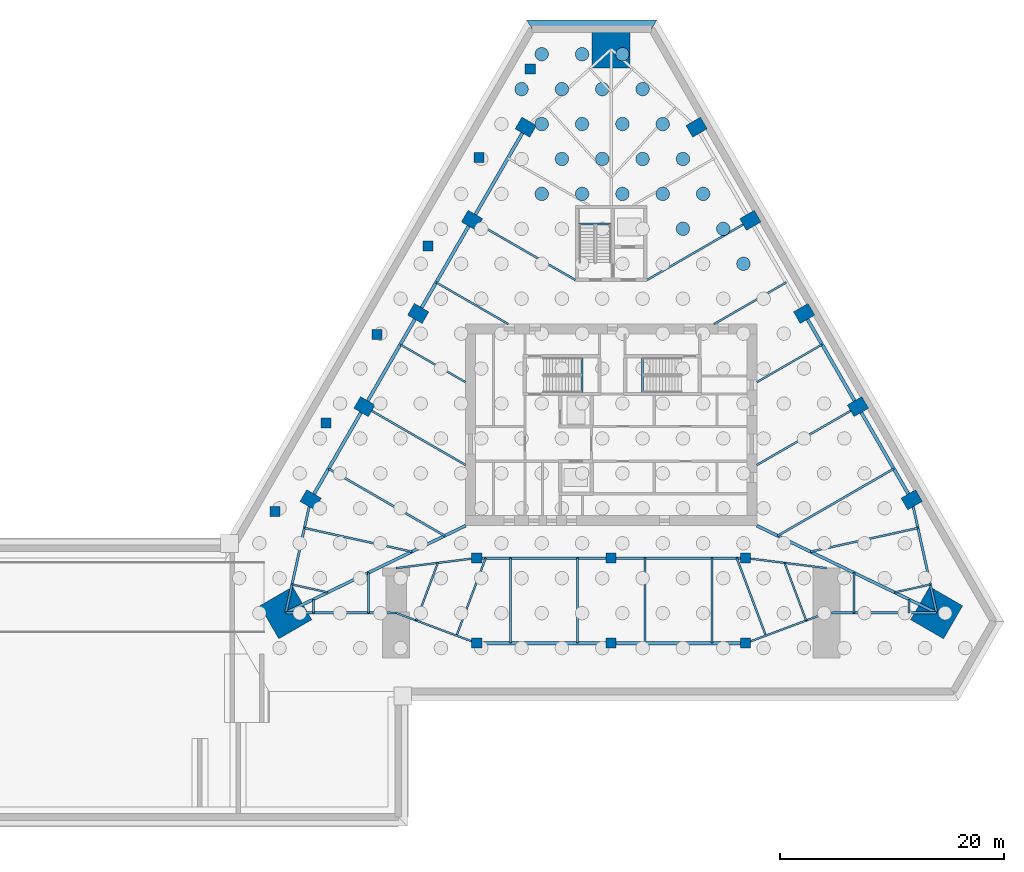
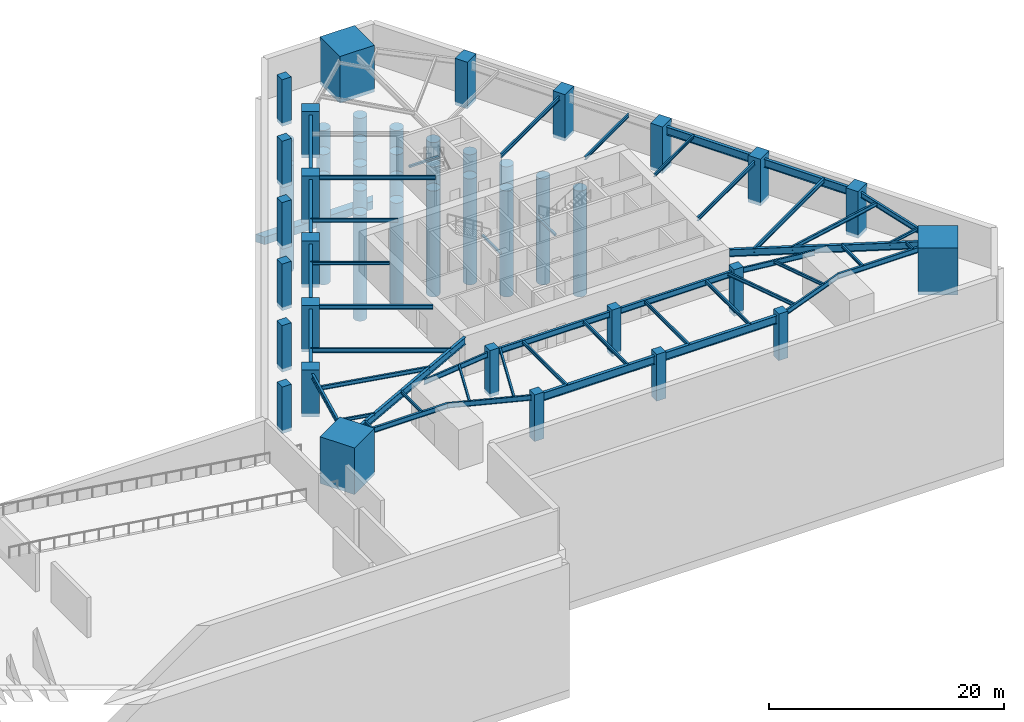
# One storey, part 2 of 8: 45 beams, 25 columns, 23 piles, 1 footing.
"""IFC4 building model written with IfcOpenShell, lengths in metres."""

from ifc_helpers import new_model, si_unit, direction, frame, origin, origin_2d, place, context, subcontext, project, spatial, polyline, rectangle, circle, i_section, outline, extrude, material, material_profile, profile_set, type_object, element, save


model = new_model("IFC4")

# Units and contexts
model_context = context("Model", 3, precision=1e-05, world=origin(), true_north=direction((0.0, 1.0)))
body_context = subcontext(model_context, "Body", "Model", "MODEL_VIEW")
ifc_project = project(units=[si_unit("LENGTHUNIT", "METRE"), si_unit("AREAUNIT", "SQUARE_METRE"), si_unit("VOLUMEUNIT", "CUBIC_METRE"), si_unit("PLANEANGLEUNIT", "RADIAN"), si_unit("MASSUNIT", "GRAM", prefix="KILO")], contexts=[model_context])

# Site, building, storey
site_placement = place(None, origin())
site = spatial("IfcSite", under=ifc_project, at=site_placement, CompositionType="ELEMENT")
building_placement = place(site_placement, origin())
building = spatial("IfcBuilding", under=site, at=building_placement, Name="Firuza Gate Tower and Library", CompositionType="ELEMENT")
storey_placement = place(building_placement, frame((0.0, 0.0, -14.0)))
storey = spatial("IfcBuildingStorey", under=building, at=storey_placement, Name="B3", CompositionType="ELEMENT", Elevation=-14.0)

# Piles
ifc_material_1 = material(Name="Concrete C40/50", Category="concrete")
ifc_material_profile_1 = material_profile(ifc_material_1, circle(Radius=0.60009765625, at=origin_2d()))
ifc_profile_set_1 = profile_set([ifc_material_profile_1], Name="Concrete C40/50")
pile_type = type_object("IfcPileType", Name="Bored pile D1200 rock-socketed C40/50", PredefinedType="BORED", material=ifc_profile_set_1)
for number, where, z_axis, x_axis, name in (
    (1, (86.802001953125, 89.3779296875, -3.199951171875), (0.0, 0.0, -1.0), (1.0, 0.0, 0.0), "Bored pile 171"),
    (2, (81.402099609375, 92.4951171875, -3.199951171875), (0.0, 0.0, -1.0), (1.0, 0.0, 0.0), "Bored pile 178"),
    (3, (85.001953125, 92.4951171875, -3.199951171875), (0.0, 0.0, -1.0), (1.0, 0.0, 0.0), "Bored pile 179"),
    (4, (68.802001953125, 95.613037109375, -3.199951171875), (0.0, 0.0, -1.0), (1.0, 0.0, 0.0), "Bored pile 182"),
    (5, (72.402099609375, 95.613037109375, -3.199951171875), (0.0, 0.0, -1.0), (1.0, 0.0, 0.0), "Bored pile 183"),
    (6, (76.001953125, 95.613037109375, -3.199951171875), (0.0, 0.0, -1.0), (1.0, 0.0, 0.0), "Bored pile 184"),
    (7, (79.60205078125, 95.613037109375, -3.199951171875), (0.0, 0.0, -1.0), (1.0, 0.0, 0.0), "Bored pile 185"),
    (8, (83.201904296875, 95.613037109375, -3.199951171875), (0.0, 0.0, -1.0), (1.0, 0.0, 0.0), "Bored pile 186"),
    (9, (70.60205078125, 98.73095703125, -3.199951171875), (0.0, 0.0, -1.0), (1.0, 0.0, 0.0), "Bored pile 189"),
    (10, (74.201904296875, 98.73095703125, -3.199951171875), (0.0, 0.0, -1.0), (1.0, 0.0, 0.0), "Bored pile 190"),
    (11, (77.802001953125, 98.73095703125, -3.199951171875), (0.0, 0.0, -1.0), (1.0, 0.0, 0.0), "Bored pile 191"),
    (12, (81.402099609375, 98.73095703125, -3.199951171875), (0.0, 0.0, -1.0), (1.0, 0.0, 0.0), "Bored pile 192"),
    (13, (68.802001953125, 101.847900390625, -3.199951171875), (0.0, 0.0, -1.0), (1.0, 0.0, 0.0), "Bored pile 194"),
    (14, (72.402099609375, 101.847900390625, -3.199951171875), (0.0, 0.0, -1.0), (1.0, 0.0, 0.0), "Bored pile 195"),
    (15, (76.001953125, 101.847900390625, -3.199951171875), (0.0, 0.0, -1.0), (1.0, 0.0, 0.0), "Bored pile 196"),
    (16, (79.60205078125, 101.847900390625, -3.199951171875), (0.0, 0.0, -1.0), (1.0, 0.0, 0.0), "Bored pile 197"),
    (17, (67.001953125, 104.966064453125, -3.199951171875), (0.0, 0.0, -1.0), (1.0, 0.0, 0.0), "Bored pile 198"),
    (18, (70.60205078125, 104.966064453125, -3.199951171875), (0.0, 0.0, -1.0), (1.0, 0.0, 0.0), "Bored pile 199"),
    (19, (74.201904296875, 104.966064453125, -3.199951171875), (0.0, 0.0, -1.0), (1.0, 0.0, 0.0), "Bored pile 200"),
    (20, (77.802001953125, 104.966064453125, -3.199951171875), (0.0, 0.0, -1.0), (1.0, 0.0, 0.0), "Bored pile 201"),
    (21, (68.802001953125, 108.083984375, -3.199951171875), (0.0, 0.0, -1.0), (1.0, 0.0, 0.0), "Bored pile 202"),
    (22, (72.402099609375, 108.083984375, -3.199951171875), (0.0, 0.0, -1.0), (1.0, 0.0, 0.0), "Bored pile 203"),
    (23, (76.001953125, 108.083984375, -3.199951171875), (0.0, 0.0, -1.0), (1.0, 0.0, 0.0), "Bored pile 204"),
):
    element("IfcPile", number, at=place(storey_placement, frame(where, z_axis=z_axis, x_axis=x_axis)), inside=storey, type_object=pile_type, Name=name, PredefinedType="BORED", context=body_context, shape_type="SweptSolid", body=[
        extrude(circle(Radius=0.60009765625, at=origin_2d()), origin(), (0.0, 0.0, 1.0), 11.0),
    ])

# Footing
ifc_material_2 = material(Name="Concrete C40/50", Category="concrete")
footing_type = type_object("IfcFootingType", Name="Diaphragm wall toe key 800 C40/50", PredefinedType="STRIP_FOOTING", material=ifc_material_2)
footing_placement = place(storey_placement, frame((0.0, 0.0, -15.300048828125)))
element("IfcFooting", 24, at=footing_placement, inside=storey, type_object=footing_type, Name="Diaphragm wall toe key 4 TK1", PredefinedType="STRIP_FOOTING", context=body_context, shape_type="SweptSolid", body=[
    extrude(outline(polyline([(78.60009765625, 110.333740234375), (67.935791015625, 110.333740234375), (67.47412109375, 111.1337890625), (79.061767578125, 111.1337890625), (78.60009765625, 110.333740234375)])), origin(), (0.0, 0.0, 1.0), 0.800048828125),
])

# Columns
ifc_material_3 = material(Name="Concrete C60/75", Category="concrete")
ifc_material_profile_2 = material_profile(ifc_material_3, rectangle(XDim=0.89990234375, YDim=0.89990234375, at=origin_2d()))
ifc_profile_set_2 = profile_set([ifc_material_profile_2], Name="Concrete C60/75")
column_type_1 = type_object("IfcColumnType", Name="Basement column 900x900 C60/75", PredefinedType="COLUMN", material=ifc_profile_set_2)
for number, where, z_axis, x_axis, name in (
    (25, (63.0, 63.115478515625, -0.35009765625), (0.0, 0.0, 1.0), (1.0, 0.0, 0.0), "Column B3 bc1"),
    (26, (75.0, 63.115478515625, -0.35009765625), (0.0, 0.0, 1.0), (1.0, 0.0, 0.0), "Column B3 bc2"),
    (27, (87.0, 63.115478515625, -0.35009765625), (0.0, 0.0, 1.0), (1.0, 0.0, 0.0), "Column B3 bc3"),
    (28, (63.0, 55.515380859375, -0.35009765625), (0.0, 0.0, 1.0), (1.0, 0.0, 0.0), "Column B3 fc1"),
    (29, (75.0, 55.515380859375, -0.35009765625), (0.0, 0.0, 1.0), (1.0, 0.0, 0.0), "Column B3 fc2"),
    (30, (87.0, 55.515380859375, -0.35009765625), (0.0, 0.0, 1.0), (1.0, 0.0, 0.0), "Column B3 fc3"),
    (31, (44.980224609375, 67.273681640625, -0.35009765625), (0.0, 0.0, 1.0), (1.0, 0.0, 0.0), "Column B3 AP10"),
    (32, (49.539794921875, 75.1708984375, -0.35009765625), (0.0, 0.0, 1.0), (1.0, 0.0, 0.0), "Column B3 AP11"),
    (33, (54.099365234375, 83.068359375, -0.35009765625), (0.0, 0.0, 1.0), (1.0, 0.0, 0.0), "Column B3 AP12"),
    (34, (58.658935546875, 90.965576171875, -0.35009765625), (0.0, 0.0, 1.0), (1.0, 0.0, 0.0), "Column B3 AP13"),
    (35, (63.218505859375, 98.86279296875, -0.35009765625), (0.0, 0.0, 1.0), (1.0, 0.0, 0.0), "Column B3 AP14"),
    (36, (67.77783203125, 106.76025390625, -0.35009765625), (0.0, 0.0, 1.0), (1.0, 0.0, 0.0), "Column B3 AP15"),
):
    element("IfcColumn", number, at=place(storey_placement, frame(where, z_axis=z_axis, x_axis=x_axis)), inside=storey, type_object=column_type_1, Name=name, PredefinedType="COLUMN", context=body_context, shape_type="SweptSolid", body=[
        extrude(rectangle(XDim=0.89990234375, YDim=0.89990234375, at=origin_2d()), origin(), (0.0, 0.0, 1.0), 4.85009765625),
    ])
ifc_material_4 = material(Name="Concrete C80/95", Category="concrete")
ifc_material_profile_3 = material_profile(ifc_material_4, rectangle(XDim=3.39990234375, YDim=3.39990234375, at=origin_2d()))
ifc_profile_set_3 = profile_set([ifc_material_profile_3], Name="Concrete C80/95")
column_type_2 = type_object("IfcColumnType", Name="Mega column 3400x3400 C80/95", PredefinedType="COLUMN", material=ifc_profile_set_3)
for number, where, z_axis, x_axis, name in (
    (37, (104.041259765625, 58.233154296875, -0.35009765625), (0.0, 0.0, 1.0), (0.5, 0.866025403784, 0.0), "Mega column SE B3"),
    (38, (75.0, 108.533935546875, -0.35009765625), (0.0, 0.0, 1.0), (-1.0, 0.0, 0.0), "Mega column N B3"),
    (39, (45.958740234375, 58.233154296875, -0.35009765625), (0.0, 0.0, 1.0), (0.5, -0.866025403784, 0.0), "Mega column SW B3"),
):
    element("IfcColumn", number, at=place(storey_placement, frame(where, z_axis=z_axis, x_axis=x_axis)), inside=storey, type_object=column_type_2, Name=name, PredefinedType="COLUMN", context=body_context, shape_type="SweptSolid", body=[
        extrude(rectangle(XDim=3.39990234375, YDim=3.39990234375, at=origin_2d()), origin(), (0.0, 0.0, 1.0), 4.85009765625),
    ])
ifc_material_5 = material(Name="Concrete C60/75", Category="concrete")
ifc_material_profile_4 = material_profile(ifc_material_5, rectangle(XDim=1.199951171875, YDim=1.5, at=origin_2d()))
ifc_profile_set_4 = profile_set([ifc_material_profile_4], Name="Concrete C60/75")
column_type_3 = type_object("IfcColumnType", Name="Perimeter column 1200x1500 C60/75", PredefinedType="COLUMN", material=ifc_profile_set_4)
for number, where, z_axis, x_axis, name in (
    (40, (101.820556640625, 68.314697265625, -0.35009765625), (0.0, 0.0, 1.0), (-0.5, 0.866025403784, 0.0), "Column B3 E1"),
    (41, (97.0205078125, 76.62841796875, -0.35009765625), (0.0, 0.0, 1.0), (-0.5, 0.866025403784, 0.0), "Column B3 E2"),
    (42, (92.220458984375, 84.9423828125, -0.35009765625), (0.0, 0.0, 1.0), (-0.5, 0.866025403784, 0.0), "Column B3 E3"),
    (43, (87.420654296875, 93.256103515625, -0.35009765625), (0.0, 0.0, 1.0), (-0.5, 0.866025403784, 0.0), "Column B3 E4"),
    (44, (82.62060546875, 101.570068359375, -0.35009765625), (0.0, 0.0, 1.0), (-0.5, 0.866025403784, 0.0), "Column B3 E5"),
    (45, (67.37939453125, 101.570068359375, -0.35009765625), (0.0, 0.0, 1.0), (-0.5, -0.866025403784, 0.0), "Column B3 W1"),
    (46, (62.579345703125, 93.256103515625, -0.35009765625), (0.0, 0.0, 1.0), (-0.5, -0.866025403784, 0.0), "Column B3 W2"),
    (47, (57.779541015625, 84.9423828125, -0.35009765625), (0.0, 0.0, 1.0), (-0.5, -0.866025403784, 0.0), "Column B3 W3"),
    (48, (52.9794921875, 76.62841796875, -0.35009765625), (0.0, 0.0, 1.0), (-0.5, -0.866025403784, 0.0), "Column B3 W4"),
    (49, (48.179443359375, 68.314697265625, -0.35009765625), (0.0, 0.0, 1.0), (-0.5, -0.866025403784, 0.0), "Column B3 W5"),
):
    element("IfcColumn", number, at=place(storey_placement, frame(where, z_axis=z_axis, x_axis=x_axis)), inside=storey, type_object=column_type_3, Name=name, PredefinedType="COLUMN", context=body_context, shape_type="SweptSolid", body=[
        extrude(rectangle(XDim=1.199951171875, YDim=1.5, at=origin_2d()), origin(), (0.0, 0.0, 1.0), 4.85009765625),
    ])

# Beams
ifc_material_6 = material(Name="Concrete C35/45", Category="concrete")
ifc_material_profile_5 = material_profile(ifc_material_6, rectangle(XDim=0.199951171875, YDim=0.199951171875, at=origin_2d()))
ifc_profile_set_5 = profile_set([ifc_material_profile_5], Name="Concrete C35/45")
beam_type_1 = type_object("IfcBeamType", Name="Stair landing bearer 200x200", PredefinedType="BEAM", material=ifc_profile_set_5)
for number, where, z_axis, x_axis, name in (
    (50, (72.39990234375, 77.89990234375, 1.949951171875), (0.0, 1.0, 0.0), (-1.0, 0.0, 0.0), "Landing bearer B3 stair 1"),
    (51, (77.800048828125, 80.97998046875, 1.949951171875), (0.0, -1.0, 0.0), (1.0, 0.0, 0.0), "Landing bearer B3 stair 2"),
):
    element("IfcBeam", number, at=place(storey_placement, frame(where, z_axis=z_axis, x_axis=x_axis)), inside=storey, type_object=beam_type_1, Name=name, PredefinedType="BEAM", context=body_context, shape_type="SweptSolid", body=[
        extrude(rectangle(XDim=0.199951171875, YDim=0.199951171875, at=origin_2d()), origin(), (0.0, 0.0, 1.0), 3.080078125),
    ])
beam_1_placement = place(storey_placement, frame((75.0, 92.929931640625, 1.949951171875), z_axis=(-1.0, 0.0, 0.0), x_axis=(0.0, -1.0, 0.0)))
element("IfcBeam", 52, at=beam_1_placement, inside=storey, type_object=beam_type_1, Name="Landing bearer B3 stair 3", PredefinedType="BEAM", context=body_context, shape_type="SweptSolid", body=[
    extrude(rectangle(XDim=0.199951171875, YDim=0.199951171875, at=origin_2d()), origin(), (0.0, 0.0, 1.0), 2.89990234375),
])
ifc_material_7 = material(Name="Steel S355", Category="steel")
ifc_material_profile_6 = material_profile(ifc_material_7, i_section(OverallWidth=0.1650390625, OverallDepth=0.31005859375, WebThickness=0.005859375, FlangeThickness=0.009765625, at=origin_2d()))
ifc_profile_set_6 = profile_set([ifc_material_profile_6], Name="Steel S355")
beam_type_2 = type_object("IfcBeamType", Name="W310x39 Floor beam", PredefinedType="JOIST", material=ifc_profile_set_6)
beam_2_placement = place(storey_placement, frame((46.513916015625, 60.75341796875, 3.9951171875), z_axis=(0.976601243751, -0.215058156564, 0.0), x_axis=(0.215058156564, 0.976601243751, 0.0)))
element("IfcBeam", 53, at=beam_2_placement, inside=storey, type_object=beam_type_2, Name="Floor beam B3 s01", PredefinedType="JOIST", context=body_context, shape_type="SweptSolid", body=[
    extrude(i_section(OverallWidth=0.1650390625, OverallDepth=0.31005859375, WebThickness=0.005859375, FlangeThickness=0.009765625, at=origin_2d()), origin(), (0.0, 0.0, 1.0), 3.27294921875),
])
beam_3_placement = place(storey_placement, frame((48.419189453125, 58.228759765625, 3.9951171875), z_axis=(0.00183635683, 0.999998313895, 0.0), x_axis=(-0.999998313895, 0.00183635683, 0.0)))
element("IfcBeam", 54, at=beam_3_placement, inside=storey, type_object=beam_type_2, Name="Floor beam B3 s10", PredefinedType="JOIST", context=body_context, shape_type="SweptSolid", body=[
    extrude(i_section(OverallWidth=0.1650390625, OverallDepth=0.31005859375, WebThickness=0.005859375, FlangeThickness=0.009765625, at=origin_2d()), origin(), (0.0, 0.0, 1.0), 1.196533203125),
])
beam_4_placement = place(storey_placement, frame((53.339599609375, 58.2197265625, 3.9951171875), z_axis=(0.001836107072, 0.999998314354, 0.0), x_axis=(-0.999998314354, 0.001836107072, 0.0)))
element("IfcBeam", 55, at=beam_4_placement, inside=storey, type_object=beam_type_2, Name="Floor beam B3 s11", PredefinedType="JOIST", context=body_context, shape_type="SweptSolid", body=[
    extrude(i_section(OverallWidth=0.1650390625, OverallDepth=0.31005859375, WebThickness=0.005859375, FlangeThickness=0.009765625, at=origin_2d()), origin(), (0.0, 0.0, 1.0), 3.590087890625),
])
for number, where, z_axis, x_axis, name in (
    (56, (57.60009765625, 57.540283203125, 3.9951171875), (0.351094204277, 0.93634014104, 0.0), (-0.93634014104, 0.351094204277, 0.0), "Floor beam B3 s20"),
    (57, (92.39990234375, 57.540283203125, 3.9951171875), (-0.351094204277, 0.93634014104, 0.0), (-0.93634014104, -0.351094204277, 0.0), "Floor beam B3 s41"),
):
    element("IfcBeam", number, at=place(storey_placement, frame(where, z_axis=z_axis, x_axis=x_axis)), inside=storey, type_object=beam_type_2, Name=name, PredefinedType="JOIST", context=body_context, shape_type="SweptSolid", body=[
        extrude(i_section(OverallWidth=0.1650390625, OverallDepth=0.31005859375, WebThickness=0.005859375, FlangeThickness=0.009765625, at=origin_2d()), origin(), (0.0, 0.0, 1.0), 5.49072265625),
    ])
beam_5_placement = place(storey_placement, frame((96.660400390625, 58.2197265625, 3.9951171875), z_axis=(-0.001836107072, 0.999998314354, 0.0), x_axis=(-0.999998314354, -0.001836107072, 0.0)))
element("IfcBeam", 58, at=beam_5_placement, inside=storey, type_object=beam_type_2, Name="Floor beam B3 s50", PredefinedType="JOIST", context=body_context, shape_type="SweptSolid", body=[
    extrude(i_section(OverallWidth=0.1650390625, OverallDepth=0.31005859375, WebThickness=0.005859375, FlangeThickness=0.009765625, at=origin_2d()), origin(), (0.0, 0.0, 1.0), 3.590087890625),
])
beam_6_placement = place(storey_placement, frame((101.580810546875, 58.228759765625, 3.9951171875), z_axis=(-0.00183635683, 0.999998313895, 0.0), x_axis=(-0.999998313895, -0.00183635683, 0.0)))
element("IfcBeam", 59, at=beam_6_placement, inside=storey, type_object=beam_type_2, Name="Floor beam B3 s51", PredefinedType="JOIST", context=body_context, shape_type="SweptSolid", body=[
    extrude(i_section(OverallWidth=0.1650390625, OverallDepth=0.31005859375, WebThickness=0.005859375, FlangeThickness=0.009765625, at=origin_2d()), origin(), (0.0, 0.0, 1.0), 1.196533203125),
])
beam_7_placement = place(storey_placement, frame((103.486083984375, 60.75341796875, 3.9951171875), z_axis=(-0.976601243751, -0.215058156564, 0.0), x_axis=(0.215058156564, -0.976601243751, 0.0)))
element("IfcBeam", 60, at=beam_7_placement, inside=storey, type_object=beam_type_2, Name="Floor beam B3 s60", PredefinedType="JOIST", context=body_context, shape_type="SweptSolid", body=[
    extrude(i_section(OverallWidth=0.1650390625, OverallDepth=0.31005859375, WebThickness=0.005859375, FlangeThickness=0.009765625, at=origin_2d()), origin(), (0.0, 0.0, 1.0), 3.27294921875),
])
for number, where, z_axis, x_axis, name in (
    (61, (93.820556640625, 82.171142578125, 3.9951171875), (-0.866019234261, -0.500010685776, 0.0), (0.500010685776, -0.866019234261, 0.0), "Floor beam B3 s72"),
    (62, (56.179443359375, 82.171142578125, 3.9951171875), (0.866019234261, -0.500010685776, 0.0), (0.500010685776, 0.866019234261, 0.0), "Floor beam B3 s103"),
):
    element("IfcBeam", number, at=place(storey_placement, frame(where, z_axis=z_axis, x_axis=x_axis)), inside=storey, type_object=beam_type_2, Name=name, PredefinedType="JOIST", context=body_context, shape_type="SweptSolid", body=[
        extrude(i_section(OverallWidth=0.1650390625, OverallDepth=0.31005859375, WebThickness=0.005859375, FlangeThickness=0.009765625, at=origin_2d()), origin(), (0.0, 0.0, 1.0), 6.720947265625),
    ])
ifc_material_8 = material(Name="Steel S355", Category="steel")
ifc_material_profile_7 = material_profile(ifc_material_8, i_section(OverallWidth=0.1708984375, OverallDepth=0.35498046875, WebThickness=0.007080078125, FlangeThickness=0.01171875, at=origin_2d()))
ifc_profile_set_7 = profile_set([ifc_material_profile_7], Name="Steel S355")
beam_type_3 = type_object("IfcBeamType", Name="W360x51 Floor beam", PredefinedType="JOIST", material=ifc_profile_set_7)
beam_8_placement = place(storey_placement, frame((61.199951171875, 56.1904296875, 3.972412109375), z_axis=(0.351127059117, 0.936327820988, 0.0), x_axis=(-0.936327820988, 0.351127059117, 0.0)))
element("IfcBeam", 63, at=beam_8_placement, inside=storey, type_object=beam_type_3, Name="Floor beam B3 s21", PredefinedType="JOIST", context=body_context, shape_type="SweptSolid", body=[
    extrude(i_section(OverallWidth=0.1708984375, OverallDepth=0.35498046875, WebThickness=0.007080078125, FlangeThickness=0.01171875, at=origin_2d()), origin(), (0.0, 0.0, 1.0), 7.39599609375),
])
for number, where, z_axis, x_axis, name in (
    (64, (66.0, 55.515380859375, 3.972412109375), (0.0, 1.0, 0.0), (-1.0, 0.0, 0.0), "Floor beam B3 s30"),
    (65, (72.0, 55.515380859375, 3.972412109375), (0.0, 1.0, 0.0), (-1.0, 0.0, 0.0), "Floor beam B3 s31"),
    (66, (78.0, 55.515380859375, 3.972412109375), (0.0, 1.0, 0.0), (-1.0, 0.0, 0.0), "Floor beam B3 s32"),
    (67, (84.0, 55.515380859375, 3.972412109375), (0.0, 1.0, 0.0), (-1.0, 0.0, 0.0), "Floor beam B3 s33"),
):
    element("IfcBeam", number, at=place(storey_placement, frame(where, z_axis=z_axis, x_axis=x_axis)), inside=storey, type_object=beam_type_3, Name=name, PredefinedType="JOIST", context=body_context, shape_type="SweptSolid", body=[
        extrude(i_section(OverallWidth=0.1708984375, OverallDepth=0.35498046875, WebThickness=0.007080078125, FlangeThickness=0.01171875, at=origin_2d()), origin(), (0.0, 0.0, 1.0), 7.60009765625),
    ])
beam_9_placement = place(storey_placement, frame((88.800048828125, 56.1904296875, 3.972412109375), z_axis=(-0.351127059117, 0.936327820988, 0.0), x_axis=(-0.936327820988, -0.351127059117, 0.0)))
element("IfcBeam", 68, at=beam_9_placement, inside=storey, type_object=beam_type_3, Name="Floor beam B3 s40", PredefinedType="JOIST", context=body_context, shape_type="SweptSolid", body=[
    extrude(i_section(OverallWidth=0.1708984375, OverallDepth=0.35498046875, WebThickness=0.007080078125, FlangeThickness=0.01171875, at=origin_2d()), origin(), (0.0, 0.0, 1.0), 7.39599609375),
])
for number, where, z_axis, x_axis, name in (
    (69, (90.62060546875, 87.713623046875, 3.972412109375), (-0.866023556141, -0.500003200199, 0.0), (0.500003200199, -0.866023556141, 0.0), "Floor beam B3 s73"),
    (70, (59.37939453125, 87.713623046875, 3.972412109375), (0.866023556141, -0.500003200199, 0.0), (0.500003200199, 0.866023556141, 0.0), "Floor beam B3 s102"),
):
    element("IfcBeam", number, at=place(storey_placement, frame(where, z_axis=z_axis, x_axis=x_axis)), inside=storey, type_object=beam_type_3, Name=name, PredefinedType="JOIST", context=body_context, shape_type="SweptSolid", body=[
        extrude(i_section(OverallWidth=0.1708984375, OverallDepth=0.35498046875, WebThickness=0.007080078125, FlangeThickness=0.01171875, at=origin_2d()), origin(), (0.0, 0.0, 1.0), 7.42724609375),
    ])
ifc_material_9 = material(Name="Steel S355", Category="steel")
ifc_material_profile_8 = material_profile(ifc_material_9, i_section(OverallWidth=0.177978515625, OverallDepth=0.406982421875, WebThickness=0.0078125, FlangeThickness=0.0126953125, at=origin_2d()))
ifc_profile_set_8 = profile_set([ifc_material_profile_8], Name="Steel S355")
beam_type_4 = type_object("IfcBeamType", Name="W410x60 Floor beam", PredefinedType="JOIST", material=ifc_profile_set_8)
for number, where, z_axis, x_axis, name in (
    (71, (47.624267578125, 65.794189453125, 3.946533203125), (0.97658964753, -0.215110809441, 0.0), (0.215110809441, 0.97658964753, 0.0), "Floor beam B3 s00"),
    (72, (102.375732421875, 65.794189453125, 3.946533203125), (-0.97658964753, -0.215110809441, 0.0), (0.215110809441, -0.97658964753, 0.0), "Floor beam B3 s61"),
):
    element("IfcBeam", number, at=place(storey_placement, frame(where, z_axis=z_axis, x_axis=x_axis)), inside=storey, type_object=beam_type_4, Name=name, PredefinedType="JOIST", context=body_context, shape_type="SweptSolid", body=[
        extrude(i_section(OverallWidth=0.177978515625, OverallDepth=0.406982421875, WebThickness=0.0078125, FlangeThickness=0.0126953125, at=origin_2d()), origin(), (0.0, 0.0, 1.0), 9.818359375),
    ])
beam_10_placement = place(storey_placement, frame((97.0205078125, 76.62841796875, 3.946533203125), z_axis=(-0.866024771944, -0.500001094379, 0.0), x_axis=(0.500001094379, -0.866024771944, 0.0)))
element("IfcBeam", 73, at=beam_10_placement, inside=storey, type_object=beam_type_4, Name="Floor beam B3 s71", PredefinedType="JOIST", context=body_context, shape_type="SweptSolid", body=[
    extrude(i_section(OverallWidth=0.177978515625, OverallDepth=0.406982421875, WebThickness=0.0078125, FlangeThickness=0.0126953125, at=origin_2d()), origin(), (0.0, 0.0, 1.0), 10.416015625),
])
for number, where, z_axis, x_axis, name in (
    (74, (87.420654296875, 93.256103515625, 3.946533203125), (-0.866029027547, -0.499993723407, 0.0), (0.499993723407, -0.866029027547, 0.0), "Floor beam B3 s74"),
    (75, (62.579345703125, 93.256103515625, 3.946533203125), (0.866029027547, -0.499993723407, 0.0), (0.499993723407, 0.866029027547, 0.0), "Floor beam B3 s101"),
):
    element("IfcBeam", number, at=place(storey_placement, frame(where, z_axis=z_axis, x_axis=x_axis)), inside=storey, type_object=beam_type_4, Name=name, PredefinedType="JOIST", context=body_context, shape_type="SweptSolid", body=[
        extrude(i_section(OverallWidth=0.177978515625, OverallDepth=0.406982421875, WebThickness=0.0078125, FlangeThickness=0.0126953125, at=origin_2d()), origin(), (0.0, 0.0, 1.0), 10.647216796875),
    ])
beam_11_placement = place(storey_placement, frame((52.9794921875, 76.62841796875, 3.946533203125), z_axis=(0.866024771944, -0.500001094379, 0.0), x_axis=(0.500001094379, 0.866024771944, 0.0)))
element("IfcBeam", 76, at=beam_11_placement, inside=storey, type_object=beam_type_4, Name="Floor beam B3 s104", PredefinedType="JOIST", context=body_context, shape_type="SweptSolid", body=[
    extrude(i_section(OverallWidth=0.177978515625, OverallDepth=0.406982421875, WebThickness=0.0078125, FlangeThickness=0.0126953125, at=origin_2d()), origin(), (0.0, 0.0, 1.0), 10.416015625),
])
ifc_material_10 = material(Name="Steel S355", Category="steel")
ifc_material_profile_9 = material_profile(ifc_material_10, i_section(OverallWidth=0.18994140625, OverallDepth=0.45703125, WebThickness=0.009033203125, FlangeThickness=0.014404296875, at=origin_2d()))
ifc_profile_set_9 = profile_set([ifc_material_profile_9], Name="Steel S355")
beam_type_5 = type_object("IfcBeamType", Name="W460x74 Floor beam", PredefinedType="JOIST", material=ifc_profile_set_9)
for number, where, z_axis, x_axis, name in (
    (77, (100.220458984375, 71.0859375, 3.92138671875), (-0.866020154196, -0.500009092443, 0.0), (0.500009092443, -0.866020154196, 0.0), "Floor beam B3 s70"),
    (78, (49.779541015625, 71.0859375, 3.92138671875), (0.866020154196, -0.500009092443, 0.0), (0.500009092443, 0.866020154196, 0.0), "Floor beam B3 s105"),
):
    element("IfcBeam", number, at=place(storey_placement, frame(where, z_axis=z_axis, x_axis=x_axis)), inside=storey, type_object=beam_type_5, Name=name, PredefinedType="JOIST", context=body_context, shape_type="SweptSolid", body=[
        extrude(i_section(OverallWidth=0.18994140625, OverallDepth=0.45703125, WebThickness=0.009033203125, FlangeThickness=0.014404296875, at=origin_2d()), origin(), (0.0, 0.0, 1.0), 11.968505859375),
    ])
ifc_material_11 = material(Name="Steel S355", Category="steel")
ifc_material_profile_10 = material_profile(ifc_material_11, i_section(OverallWidth=0.212890625, OverallDepth=0.5390625, WebThickness=0.01171875, FlangeThickness=0.018798828125, at=origin_2d()))
ifc_profile_set_10 = profile_set([ifc_material_profile_10], Name="Steel S355")
beam_type_6 = type_object("IfcBeamType", Name="W530x109 Edge beam", PredefinedType="SPANDREL", material=ifc_profile_set_10)
beam_12_placement = place(storey_placement, frame((48.179443359375, 68.314697265625, 3.880615234375), z_axis=(-0.215117130091, -0.976588255275, 0.0), x_axis=(0.976588255275, -0.215117130091, 0.0)))
element("IfcBeam", 79, at=beam_12_placement, inside=storey, type_object=beam_type_6, Name="Edge beam B3 e00", PredefinedType="SPANDREL", context=body_context, shape_type="SweptSolid", body=[
    extrude(i_section(OverallWidth=0.212890625, OverallDepth=0.5390625, WebThickness=0.01171875, FlangeThickness=0.018798828125, at=origin_2d()), origin(), (0.0, 0.0, 1.0), 10.3232421875),
])
for number, where, z_axis, x_axis, name in (
    (80, (45.958740234375, 58.233154296875, 3.880615234375), (0.999998360207, -0.001810962051, 0.0), (0.001810962051, 0.999998360207, 0.0), "Edge beam B3 e10"),
    (81, (94.199951171875, 58.21533203125, 3.880615234375), (0.999998360207, 0.001810962051, 0.0), (-0.001810962051, 0.999998360207, 0.0), "Edge beam B3 e50"),
):
    element("IfcBeam", number, at=place(storey_placement, frame(where, z_axis=z_axis, x_axis=x_axis)), inside=storey, type_object=beam_type_6, Name=name, PredefinedType="SPANDREL", context=body_context, shape_type="SweptSolid", body=[
        extrude(i_section(OverallWidth=0.212890625, OverallDepth=0.5390625, WebThickness=0.01171875, FlangeThickness=0.018798828125, at=origin_2d()), origin(), (0.0, 0.0, 1.0), 9.84130859375),
    ])
beam_13_placement = place(storey_placement, frame((104.041259765625, 58.233154296875, 3.880615234375), z_axis=(-0.215117130091, 0.976588255275, 0.0), x_axis=(-0.976588255275, -0.215117130091, 0.0)))
element("IfcBeam", 82, at=beam_13_placement, inside=storey, type_object=beam_type_6, Name="Edge beam B3 e60", PredefinedType="SPANDREL", context=body_context, shape_type="SweptSolid", body=[
    extrude(i_section(OverallWidth=0.212890625, OverallDepth=0.5390625, WebThickness=0.01171875, FlangeThickness=0.018798828125, at=origin_2d()), origin(), (0.0, 0.0, 1.0), 10.3232421875),
])
ifc_material_12 = material(Name="Steel S355", Category="steel")
ifc_material_profile_11 = material_profile(ifc_material_12, i_section(OverallWidth=0.166015625, OverallDepth=0.534912109375, WebThickness=0.01025390625, FlangeThickness=0.0166015625, at=origin_2d()))
ifc_profile_set_11 = profile_set([ifc_material_profile_11], Name="Steel S355")
beam_type_7 = type_object("IfcBeamType", Name="W530x85 Edge beam", PredefinedType="SPANDREL", material=ifc_profile_set_11)
for number, where, z_axis, x_axis, name in (
    (83, (55.800048828125, 58.21533203125, 3.882568359375), (0.936330482345, -0.351119962166, 0.0), (0.351119962166, 0.936330482345, 0.0), "Edge beam B3 e20"),
    (84, (87.0, 55.515380859375, 3.882568359375), (0.936330482345, 0.351119962166, 0.0), (-0.351119962166, 0.936330482345, 0.0), "Edge beam B3 e40"),
):
    element("IfcBeam", number, at=place(storey_placement, frame(where, z_axis=z_axis, x_axis=x_axis)), inside=storey, type_object=beam_type_7, Name=name, PredefinedType="SPANDREL", context=body_context, shape_type="SweptSolid", body=[
        extrude(i_section(OverallWidth=0.166015625, OverallDepth=0.534912109375, WebThickness=0.01025390625, FlangeThickness=0.0166015625, at=origin_2d()), origin(), (0.0, 0.0, 1.0), 7.689453125),
    ])
for number, where, z_axis, x_axis, name in (
    (85, (55.800048828125, 62.21533203125, 3.882568359375), (0.992275288289, 0.124055440233, 0.0), (-0.124055440233, 0.992275288289, 0.0), "Edge beam B3 x00"),
    (86, (87.0, 63.115478515625, 3.882568359375), (0.992275288289, -0.124055440233, 0.0), (0.124055440233, 0.992275288289, 0.0), "Edge beam B3 x03"),
):
    element("IfcBeam", number, at=place(storey_placement, frame(where, z_axis=z_axis, x_axis=x_axis)), inside=storey, type_object=beam_type_7, Name=name, PredefinedType="SPANDREL", context=body_context, shape_type="SweptSolid", body=[
        extrude(i_section(OverallWidth=0.166015625, OverallDepth=0.534912109375, WebThickness=0.01025390625, FlangeThickness=0.0166015625, at=origin_2d()), origin(), (0.0, 0.0, 1.0), 7.256103515625),
    ])
ifc_material_13 = material(Name="Steel S355", Category="steel")
ifc_material_profile_12 = material_profile(ifc_material_13, i_section(OverallWidth=0.22900390625, OverallDepth=0.612060546875, WebThickness=0.011962890625, FlangeThickness=0.01953125, at=origin_2d()))
ifc_profile_set_12 = profile_set([ifc_material_profile_12], Name="Steel S355")
beam_type_8 = type_object("IfcBeamType", Name="W610x125 Edge beam", PredefinedType="SPANDREL", material=ifc_profile_set_12)
for number, where, z_axis, x_axis, name in (
    (87, (63.0, 63.115478515625, 3.843994140625), (1.0, 0.0, 0.0), (0.0, 1.0, 0.0), "Edge beam B3 x01"),
    (88, (75.0, 63.115478515625, 3.843994140625), (1.0, 0.0, 0.0), (0.0, 1.0, 0.0), "Edge beam B3 x02"),
):
    element("IfcBeam", number, at=place(storey_placement, frame(where, z_axis=z_axis, x_axis=x_axis)), inside=storey, type_object=beam_type_8, Name=name, PredefinedType="SPANDREL", context=body_context, shape_type="SweptSolid", body=[
        extrude(i_section(OverallWidth=0.22900390625, OverallDepth=0.612060546875, WebThickness=0.011962890625, FlangeThickness=0.01953125, at=origin_2d()), origin(), (0.0, 0.0, 1.0), 12.0),
    ])
ifc_material_14 = material(Name="Steel S355", Category="steel")
ifc_material_profile_13 = material_profile(ifc_material_14, i_section(OverallWidth=0.264892578125, OverallDepth=0.7529296875, WebThickness=0.01318359375, FlangeThickness=0.01708984375, at=origin_2d()))
ifc_profile_set_13 = profile_set([ifc_material_profile_13], Name="Steel S355")
beam_type_9 = type_object("IfcBeamType", Name="W760x147 Girder", PredefinedType="BEAM", material=ifc_profile_set_13)
for number, where, z_axis, x_axis, name in (
    (89, (45.958740234375, 58.233154296875, 3.7734375), (0.900050421894, 0.43578577082, 0.0), (-0.43578577082, 0.900050421894, 0.0), "Girder B3 gSW"),
    (90, (104.041259765625, 58.233154296875, 3.7734375), (-0.900050421894, 0.43578577082, 0.0), (-0.43578577082, -0.900050421894, 0.0), "Girder B3 gSE"),
):
    element("IfcBeam", number, at=place(storey_placement, frame(where, z_axis=z_axis, x_axis=x_axis)), inside=storey, type_object=beam_type_9, Name=name, PredefinedType="BEAM", context=body_context, shape_type="SweptSolid", body=[
        extrude(i_section(OverallWidth=0.264892578125, OverallDepth=0.7529296875, WebThickness=0.01318359375, FlangeThickness=0.01708984375, at=origin_2d()), origin(), (0.0, 0.0, 1.0), 17.822509765625),
    ])
ifc_material_15 = material(Name="Steel S355", Category="steel")
ifc_material_profile_14 = material_profile(ifc_material_15, i_section(OverallWidth=0.2919921875, OverallDepth=0.8349609375, WebThickness=0.013916015625, FlangeThickness=0.018798828125, at=origin_2d()))
ifc_profile_set_14 = profile_set([ifc_material_profile_14], Name="Steel S355")
beam_type_10 = type_object("IfcBeamType", Name="W840x176 Edge beam", PredefinedType="SPANDREL", material=ifc_profile_set_14)
beam_14_placement = place(storey_placement, frame((63.0, 55.515380859375, 3.732421875), z_axis=(1.0, 0.0, 0.0), x_axis=(0.0, 1.0, 0.0)))
element("IfcBeam", 91, at=beam_14_placement, inside=storey, type_object=beam_type_10, Name="Edge beam B3 e30", PredefinedType="SPANDREL", context=body_context, shape_type="SweptSolid", body=[
    extrude(i_section(OverallWidth=0.2919921875, OverallDepth=0.8349609375, WebThickness=0.013916015625, FlangeThickness=0.018798828125, at=origin_2d()), origin(), (0.0, 0.0, 1.0), 24.0),
])
for number, where, z_axis, x_axis, name in (
    (92, (101.820556640625, 68.314697265625, 3.732421875), (-0.500003864429, 0.866023172644, 0.0), (-0.866023172644, -0.500003864429, 0.0), "Edge beam B3 e70"),
    (93, (67.37939453125, 101.570068359375, 3.732421875), (-0.499994327668, -0.866028678682, 0.0), (0.866028678682, -0.499994327668, 0.0), "Edge beam B3 e100"),
    (94, (57.779541015625, 84.9423828125, 3.732421875), (-0.500003864429, -0.866023172644, 0.0), (0.866023172644, -0.500003864429, 0.0), "Edge beam B3 e102"),
):
    element("IfcBeam", number, at=place(storey_placement, frame(where, z_axis=z_axis, x_axis=x_axis)), inside=storey, type_object=beam_type_10, Name=name, PredefinedType="SPANDREL", context=body_context, shape_type="SweptSolid", body=[
        extrude(i_section(OverallWidth=0.2919921875, OverallDepth=0.8349609375, WebThickness=0.013916015625, FlangeThickness=0.018798828125, at=origin_2d()), origin(), (0.0, 0.0, 1.0), 19.199951171875),
    ])

save(model, "model.ifc")
